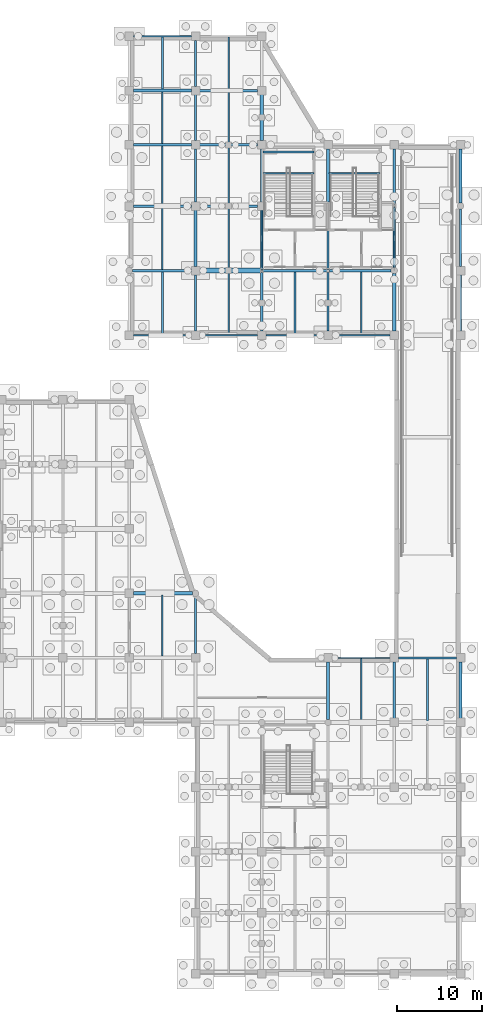
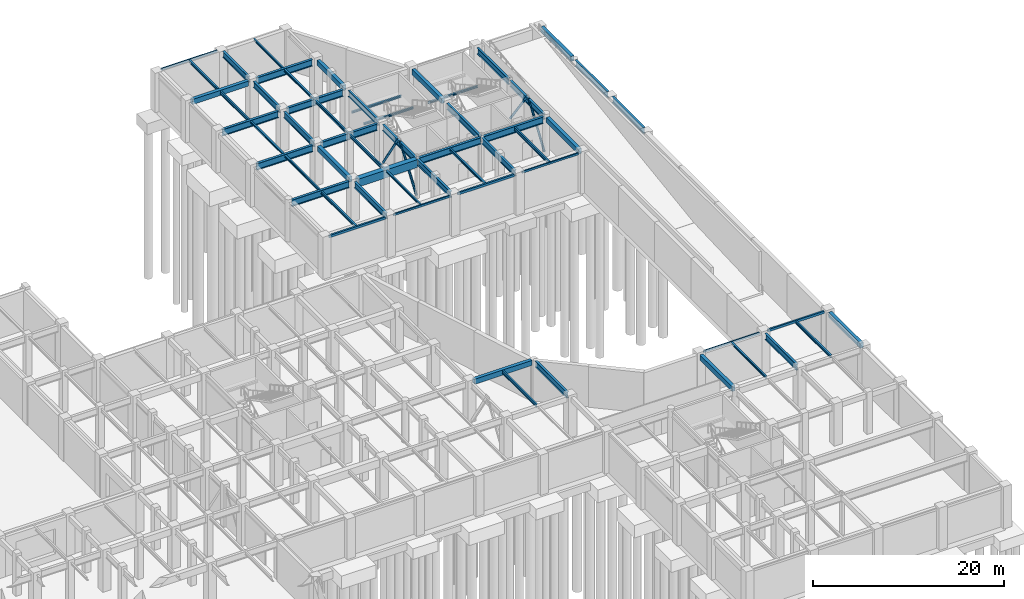
# One storey, part 29 of 52: 58 beams, 4 members.
"""IFC4 building model written with IfcOpenShell, lengths in metres."""

from ifc_helpers import new_model, si_unit, direction, frame, origin, origin_2d, place, context, subcontext, project, spatial, rectangle, hollow_rectangle, hollow_circle, i_section, extrude, material, material_profile, profile_set, type_object, element, save


model = new_model("IFC4")

# Units and contexts
model_context = context("Model", 3, precision=1e-05, world=origin(), true_north=direction((0.0, 1.0)))
body_context = subcontext(model_context, "Body", "Model", "MODEL_VIEW")
ifc_project = project(units=[si_unit("LENGTHUNIT", "METRE"), si_unit("AREAUNIT", "SQUARE_METRE"), si_unit("VOLUMEUNIT", "CUBIC_METRE"), si_unit("PLANEANGLEUNIT", "RADIAN"), si_unit("MASSUNIT", "GRAM", prefix="KILO")], contexts=[model_context])

# Site, building, storey
site_placement = place(None, origin())
site = spatial("IfcSite", under=ifc_project, at=site_placement, CompositionType="ELEMENT")
building_placement = place(site_placement, origin())
building = spatial("IfcBuilding", under=site, at=building_placement, Name="Xicomal Pleat Aquarium", CompositionType="ELEMENT")
storey_placement = place(building_placement, frame((0.0, 0.0, -5.39990234375)))
storey = spatial("IfcBuildingStorey", under=building, at=storey_placement, Name="B1", CompositionType="ELEMENT", Elevation=-5.39990234375)

# Beams
ifc_material_1 = material(Name="Concrete C40/50", Category="concrete")
ifc_material_profile_1 = material_profile(ifc_material_1, rectangle(XDim=0.39990234375, YDim=0.64990234375, at=origin_2d()), Name="RC 400x650")
ifc_profile_set_1 = profile_set([ifc_material_profile_1], Name="Concrete C40/50")
beam_type_1 = type_object("IfcBeamType", Name="BM-RC-400x650", PredefinedType="LINTEL", material=ifc_profile_set_1)
beam_1_placement = place(storey_placement, frame((126.4951171875, 45.60009765625, 4.81494140625), z_axis=(1.0, 0.0, 0.0), x_axis=(0.0, 1.0, 0.0)))
element("IfcBeam", 1, at=beam_1_placement, inside=storey, type_object=beam_type_1, Name="B1 framing beam FGX-B1-16-17-G", PredefinedType="LINTEL", context=body_context, shape_type="SweptSolid", body=[
    extrude(rectangle(XDim=0.39990234375, YDim=0.64990234375, at=origin_2d()), origin(), (0.0, 0.0, 1.0), 6.934814453125),
])
beam_2_placement = place(storey_placement, frame((126.4951171875, 104.800048828125, 4.724853515625), z_axis=(1.0, 0.0, 0.0), x_axis=(0.0, 1.0, 0.0)))
element("IfcBeam", 2, at=beam_2_placement, inside=storey, type_object=beam_type_1, Name="B1 framing beam FGX-B1-16-17-Q", PredefinedType="LINTEL", context=body_context, shape_type="SweptSolid", body=[
    extrude(rectangle(XDim=0.39990234375, YDim=0.64990234375, at=origin_2d()), origin(), (0.0, 0.0, 1.0), 6.809814453125),
])
beam_3_placement = place(storey_placement, frame((133.800048828125, 84.094970703125, 4.724853515625), z_axis=(0.0, 1.0, 0.0), x_axis=(-1.0, 0.0, 0.0)))
element("IfcBeam", 3, at=beam_3_placement, inside=storey, type_object=beam_type_1, Name="B1 framing beam FGY-B1-17-M-N", PredefinedType="LINTEL", context=body_context, shape_type="SweptSolid", body=[
    extrude(rectangle(XDim=0.39990234375, YDim=0.64990234375, at=origin_2d()), origin(), (0.0, 0.0, 1.0), 6.610107421875),
])
beam_4_placement = place(storey_placement, frame((141.60009765625, 98.89501953125, 4.724853515625), z_axis=(0.0, 1.0, 0.0), x_axis=(-1.0, 0.0, 0.0)))
element("IfcBeam", 4, at=beam_4_placement, inside=storey, type_object=beam_type_1, Name="B1 framing beam FGY-B1-18-P-Q", PredefinedType="LINTEL", context=body_context, shape_type="SweptSolid", body=[
    extrude(rectangle(XDim=0.39990234375, YDim=0.64990234375, at=origin_2d()), origin(), (0.0, 0.0, 1.0), 5.409912109375),
])
beam_5_placement = place(storey_placement, frame((149.39990234375, 30.77001953125, 4.794921875), z_axis=(0.0, 1.0, 0.0), x_axis=(-1.0, 0.0, 0.0)))
element("IfcBeam", 5, at=beam_5_placement, inside=storey, type_object=beam_type_1, Name="B1 framing beam FGY-B1-19-E-F", PredefinedType="LINTEL", context=body_context, shape_type="SweptSolid", body=[
    extrude(rectangle(XDim=0.39990234375, YDim=0.64990234375, at=origin_2d()), origin(), (0.0, 0.0, 1.0), 6.73486328125),
])
beam_6_placement = place(storey_placement, frame((149.39990234375, 91.695068359375, 4.724853515625), z_axis=(0.0, 1.0, 0.0), x_axis=(-1.0, 0.0, 0.0)))
element("IfcBeam", 6, at=beam_6_placement, inside=storey, type_object=beam_type_1, Name="B1 framing beam FGY-B1-19-N-P", PredefinedType="LINTEL", context=body_context, shape_type="SweptSolid", body=[
    extrude(rectangle(XDim=0.39990234375, YDim=0.64990234375, at=origin_2d()), origin(), (0.0, 0.0, 1.0), 6.2099609375),
])
beam_7_placement = place(storey_placement, frame((157.199951171875, 76.4951171875, 4.724853515625), z_axis=(0.0, 1.0, 0.0), x_axis=(-1.0, 0.0, 0.0)))
element("IfcBeam", 7, at=beam_7_placement, inside=storey, type_object=beam_type_1, Name="B1 framing beam FGY-B1-20-L-M", PredefinedType="LINTEL", context=body_context, shape_type="SweptSolid", body=[
    extrude(rectangle(XDim=0.39990234375, YDim=0.64990234375, at=origin_2d()), origin(), (0.0, 0.0, 1.0), 6.73486328125),
])
beam_8_placement = place(storey_placement, frame((165.0, 30.89501953125, 4.794921875), z_axis=(0.0, 1.0, 0.0), x_axis=(-1.0, 0.0, 0.0)))
element("IfcBeam", 8, at=beam_8_placement, inside=storey, type_object=beam_type_1, Name="B1 framing beam FGY-B1-21-E-F", PredefinedType="LINTEL", context=body_context, shape_type="SweptSolid", body=[
    extrude(rectangle(XDim=0.39990234375, YDim=0.64990234375, at=origin_2d()), origin(), (0.0, 0.0, 1.0), 6.60986328125),
])
beam_9_placement = place(storey_placement, frame((165.0, 91.570068359375, 4.724853515625), z_axis=(0.0, 1.0, 0.0), x_axis=(-1.0, 0.0, 0.0)))
element("IfcBeam", 9, at=beam_9_placement, inside=storey, type_object=beam_type_1, Name="B1 framing beam FGY-B1-21-N-P", PredefinedType="LINTEL", context=body_context, shape_type="SweptSolid", body=[
    extrude(rectangle(XDim=0.39990234375, YDim=0.64990234375, at=origin_2d()), origin(), (0.0, 0.0, 1.0), 6.3349609375),
])
ifc_material_2 = material(Name="Concrete C40/50", Category="concrete")
ifc_material_profile_2 = material_profile(ifc_material_2, rectangle(XDim=0.60009765625, YDim=1.0, at=origin_2d()), Name="RC 600x1000")
ifc_profile_set_2 = profile_set([ifc_material_profile_2], Name="Concrete C40/50")
beam_type_2 = type_object("IfcBeamType", Name="BM-RC-600x1000", PredefinedType="T_BEAM", material=ifc_profile_set_2)
beam_10_placement = place(storey_placement, frame((134.294921875, 83.60009765625, 4.5498046875), z_axis=(1.0, 0.0, 0.0), x_axis=(0.0, 1.0, 0.0)))
element("IfcBeam", 10, at=beam_10_placement, inside=storey, type_object=beam_type_2, Name="B1 framing beam FGX-B1-17-18-M", PredefinedType="T_BEAM", context=body_context, shape_type="SweptSolid", body=[
    extrude(rectangle(XDim=0.60009765625, YDim=1.0, at=origin_2d()), origin(), (0.0, 0.0, 1.0), 7.16015625),
])
ifc_material_3 = material(Name="Structural steel A992 Gr 50", Category="steel")
ifc_material_profile_3 = material_profile(ifc_material_3, i_section(OverallWidth=0.201904296875, OverallDepth=0.2470703125, WebThickness=0.00732421875, FlangeThickness=0.010986328125, at=origin_2d()), Name="IR 250x49")
ifc_profile_set_3 = profile_set([ifc_material_profile_3], Name="Structural steel A992 Gr 50")
beam_type_3 = type_object("IfcBeamType", Name="BM-STL-IR250", PredefinedType="JOIST", material=ifc_profile_set_3)
beam_11_placement = place(storey_placement, frame((129.89990234375, 91.35009765625, 4.926513671875), z_axis=(0.0, 1.0, 0.0), x_axis=(-1.0, 0.0, 0.0)))
element("IfcBeam", 11, at=beam_11_placement, inside=storey, type_object=beam_type_3, Name="B1 framing beam FBJ-B1-16-N-1", PredefinedType="JOIST", context=body_context, shape_type="SweptSolid", body=[
    extrude(i_section(OverallWidth=0.201904296875, OverallDepth=0.2470703125, WebThickness=0.00732421875, FlangeThickness=0.010986328125, at=origin_2d()), origin(), (0.0, 0.0, 1.0), 6.89990234375),
])
beam_12_placement = place(storey_placement, frame((137.699951171875, 76.077880859375, 4.926513671875), z_axis=(0.0, 1.0, 0.0), x_axis=(-1.0, 0.0, 0.0)))
element("IfcBeam", 12, at=beam_12_placement, inside=storey, type_object=beam_type_3, Name="B1 framing beam FBJ-B1-17-L-1", PredefinedType="JOIST", context=body_context, shape_type="SweptSolid", body=[
    extrude(i_section(OverallWidth=0.201904296875, OverallDepth=0.2470703125, WebThickness=0.00732421875, FlangeThickness=0.010986328125, at=origin_2d()), origin(), (0.0, 0.0, 1.0), 7.21923828125),
])
beam_13_placement = place(storey_placement, frame((137.699951171875, 104.949951171875, 4.926513671875), z_axis=(0.0, 1.0, 0.0), x_axis=(-1.0, 0.0, 0.0)))
element("IfcBeam", 13, at=beam_13_placement, inside=storey, type_object=beam_type_3, Name="B1 framing beam FBJ-B1-17-Q-1", PredefinedType="JOIST", context=body_context, shape_type="SweptSolid", body=[
    extrude(i_section(OverallWidth=0.201904296875, OverallDepth=0.2470703125, WebThickness=0.00732421875, FlangeThickness=0.010986328125, at=origin_2d()), origin(), (0.0, 0.0, 1.0), 6.14697265625),
])
for number, where, z_axis, x_axis, name in (
    (14, (141.719970703125, 97.550048828125, 2.37890625), (1.0, 0.0, 0.0), (0.0, 1.0, 0.0), "ST-05-B1 half-landing bearer beam 1"),
    (15, (141.719970703125, 95.070068359375, 2.37890625), (1.0, 0.0, 0.0), (0.0, 1.0, 0.0), "ST-05-B1 half-landing bearer beam 2"),
    (16, (149.52001953125, 95.070068359375, 2.37890625), (1.0, 0.0, 0.0), (0.0, 1.0, 0.0), "ST-06-B1 half-landing bearer beam 2"),
):
    element("IfcBeam", number, at=place(storey_placement, frame(where, z_axis=z_axis, x_axis=x_axis)), inside=storey, type_object=beam_type_3, Name=name, PredefinedType="JOIST", context=body_context, shape_type="SweptSolid", body=[
        extrude(i_section(OverallWidth=0.201904296875, OverallDepth=0.2470703125, WebThickness=0.00732421875, FlangeThickness=0.010986328125, at=origin_2d()), origin(), (0.0, 0.0, 1.0), 6.02001953125),
    ])
ifc_material_4 = material(Name="Structural steel A992 Gr 50", Category="steel")
ifc_material_profile_4 = material_profile(ifc_material_4, i_section(OverallWidth=0.202880859375, OverallDepth=0.302978515625, WebThickness=0.007568359375, FlangeThickness=0.01318359375, at=origin_2d()), Name="IR 310x60")
ifc_profile_set_4 = profile_set([ifc_material_profile_4], Name="Structural steel A992 Gr 50")
beam_type_4 = type_object("IfcBeamType", Name="BM-STL-IR310", PredefinedType="JOIST", material=ifc_profile_set_4)
beam_14_placement = place(storey_placement, frame((129.89990234375, 83.75, 4.8984375), z_axis=(0.0, 1.0, 0.0), x_axis=(-1.0, 0.0, 0.0)))
element("IfcBeam", 17, at=beam_14_placement, inside=storey, type_object=beam_type_4, Name="B1 framing beam FBJ-B1-16-M-1", PredefinedType="JOIST", context=body_context, shape_type="SweptSolid", body=[
    extrude(i_section(OverallWidth=0.202880859375, OverallDepth=0.302978515625, WebThickness=0.007568359375, FlangeThickness=0.01318359375, at=origin_2d()), origin(), (0.0, 0.0, 1.0), 7.300048828125),
])
beam_15_placement = place(storey_placement, frame((137.699951171875, 98.550048828125, 4.8984375), z_axis=(0.0, 1.0, 0.0), x_axis=(-1.0, 0.0, 0.0)))
element("IfcBeam", 18, at=beam_15_placement, inside=storey, type_object=beam_type_4, Name="B1 framing beam FBJ-B1-17-P-1", PredefinedType="JOIST", context=body_context, shape_type="SweptSolid", body=[
    extrude(i_section(OverallWidth=0.202880859375, OverallDepth=0.302978515625, WebThickness=0.007568359375, FlangeThickness=0.01318359375, at=origin_2d()), origin(), (0.0, 0.0, 1.0), 6.099853515625),
])
beam_16_placement = place(storey_placement, frame((145.5, 76.10302734375, 4.8984375), z_axis=(0.0, 1.0, 0.0), x_axis=(-1.0, 0.0, 0.0)))
element("IfcBeam", 19, at=beam_16_placement, inside=storey, type_object=beam_type_4, Name="B1 framing beam FBJ-B1-18-L-1", PredefinedType="JOIST", context=body_context, shape_type="SweptSolid", body=[
    extrude(i_section(OverallWidth=0.202880859375, OverallDepth=0.302978515625, WebThickness=0.007568359375, FlangeThickness=0.01318359375, at=origin_2d()), origin(), (0.0, 0.0, 1.0), 7.346923828125),
])
beam_17_placement = place(storey_placement, frame((153.300048828125, 30.6279296875, 4.968505859375), z_axis=(0.0, 1.0, 0.0), x_axis=(-1.0, 0.0, 0.0)))
element("IfcBeam", 20, at=beam_17_placement, inside=storey, type_object=beam_type_4, Name="B1 framing beam FBJ-B1-19-E-1", PredefinedType="JOIST", context=body_context, shape_type="SweptSolid", body=[
    extrude(i_section(OverallWidth=0.202880859375, OverallDepth=0.302978515625, WebThickness=0.007568359375, FlangeThickness=0.01318359375, at=origin_2d()), origin(), (0.0, 0.0, 1.0), 7.294189453125),
])
ifc_material_5 = material(Name="Structural steel A992 Gr 50", Category="steel")
ifc_material_profile_5 = material_profile(ifc_material_5, i_section(OverallWidth=0.205078125, OverallDepth=0.35400390625, WebThickness=0.009521484375, FlangeThickness=0.016845703125, at=origin_2d()), Name="IR 360x79")
ifc_profile_set_5 = profile_set([ifc_material_profile_5], Name="Structural steel A992 Gr 50")
beam_type_5 = type_object("IfcBeamType", Name="BM-STL-IR360", PredefinedType="JOIST", material=ifc_profile_set_5)
beam_18_placement = place(storey_placement, frame((129.89990234375, 76.10302734375, 4.872802734375), z_axis=(0.0, 1.0, 0.0), x_axis=(-1.0, 0.0, 0.0)))
element("IfcBeam", 21, at=beam_18_placement, inside=storey, type_object=beam_type_5, Name="B1 framing beam FBJ-B1-16-L-1", PredefinedType="JOIST", context=body_context, shape_type="SweptSolid", body=[
    extrude(i_section(OverallWidth=0.205078125, OverallDepth=0.35400390625, WebThickness=0.009521484375, FlangeThickness=0.016845703125, at=origin_2d()), origin(), (0.0, 0.0, 1.0), 7.346923828125),
])
beam_19_placement = place(storey_placement, frame((129.89990234375, 105.0029296875, 4.872802734375), z_axis=(0.0, 1.0, 0.0), x_axis=(-1.0, 0.0, 0.0)))
element("IfcBeam", 22, at=beam_19_placement, inside=storey, type_object=beam_type_5, Name="B1 framing beam FBJ-B1-16-Q-1", PredefinedType="JOIST", context=body_context, shape_type="SweptSolid", body=[
    extrude(i_section(OverallWidth=0.205078125, OverallDepth=0.35400390625, WebThickness=0.009521484375, FlangeThickness=0.016845703125, at=origin_2d()), origin(), (0.0, 0.0, 1.0), 6.119140625),
])
beam_20_placement = place(storey_placement, frame((137.699951171875, 91.35009765625, 4.872802734375), z_axis=(0.0, 1.0, 0.0), x_axis=(-1.0, 0.0, 0.0)))
element("IfcBeam", 23, at=beam_20_placement, inside=storey, type_object=beam_type_5, Name="B1 framing beam FBJ-B1-17-N-1", PredefinedType="JOIST", context=body_context, shape_type="SweptSolid", body=[
    extrude(i_section(OverallWidth=0.205078125, OverallDepth=0.35400390625, WebThickness=0.009521484375, FlangeThickness=0.016845703125, at=origin_2d()), origin(), (0.0, 0.0, 1.0), 6.89990234375),
])
beam_21_placement = place(storey_placement, frame((161.10009765625, 30.550048828125, 4.94287109375), z_axis=(0.0, 1.0, 0.0), x_axis=(-1.0, 0.0, 0.0)))
element("IfcBeam", 24, at=beam_21_placement, inside=storey, type_object=beam_type_5, Name="B1 framing beam FBJ-B1-20-E-1", PredefinedType="JOIST", context=body_context, shape_type="SweptSolid", body=[
    extrude(i_section(OverallWidth=0.205078125, OverallDepth=0.35400390625, WebThickness=0.009521484375, FlangeThickness=0.016845703125, at=origin_2d()), origin(), (0.0, 0.0, 1.0), 7.346923828125),
])
ifc_material_6 = material(Name="Structural steel A992 Gr 50", Category="steel")
ifc_material_profile_6 = material_profile(ifc_material_6, i_section(OverallWidth=0.180908203125, OverallDepth=0.4169921875, WebThickness=0.010986328125, FlangeThickness=0.018310546875, at=origin_2d()), Name="IR 410x85")
ifc_profile_set_6 = profile_set([ifc_material_profile_6], Name="Structural steel A992 Gr 50")
beam_type_6 = type_object("IfcBeamType", Name="BM-STL-IR410", PredefinedType="JOIST", material=ifc_profile_set_6)
beam_22_placement = place(storey_placement, frame((129.89990234375, 38.202880859375, 4.931396484375), z_axis=(0.0, 1.0, 0.0), x_axis=(-1.0, 0.0, 0.0)))
element("IfcBeam", 25, at=beam_22_placement, inside=storey, type_object=beam_type_6, Name="B1 framing beam FBJ-B1-16-F-1", PredefinedType="JOIST", context=body_context, shape_type="SweptSolid", body=[
    extrude(i_section(OverallWidth=0.180908203125, OverallDepth=0.4169921875, WebThickness=0.010986328125, FlangeThickness=0.018310546875, at=origin_2d()), origin(), (0.0, 0.0, 1.0), 7.194091796875),
])
beam_23_placement = place(storey_placement, frame((129.89990234375, 98.550048828125, 4.84130859375), z_axis=(0.0, 1.0, 0.0), x_axis=(-1.0, 0.0, 0.0)))
element("IfcBeam", 26, at=beam_23_placement, inside=storey, type_object=beam_type_6, Name="B1 framing beam FBJ-B1-16-P-1", PredefinedType="JOIST", context=body_context, shape_type="SweptSolid", body=[
    extrude(i_section(OverallWidth=0.180908203125, OverallDepth=0.4169921875, WebThickness=0.010986328125, FlangeThickness=0.018310546875, at=origin_2d()), origin(), (0.0, 0.0, 1.0), 6.046875),
])
beam_24_placement = place(storey_placement, frame((137.699951171875, 83.903076171875, 4.84130859375), z_axis=(0.0, 1.0, 0.0), x_axis=(-1.0, 0.0, 0.0)))
element("IfcBeam", 27, at=beam_24_placement, inside=storey, type_object=beam_type_6, Name="B1 framing beam FBJ-B1-17-M-1", PredefinedType="JOIST", context=body_context, shape_type="SweptSolid", body=[
    extrude(i_section(OverallWidth=0.180908203125, OverallDepth=0.4169921875, WebThickness=0.010986328125, FlangeThickness=0.018310546875, at=origin_2d()), origin(), (0.0, 0.0, 1.0), 7.14697265625),
])
beam_25_placement = place(storey_placement, frame((153.300048828125, 76.077880859375, 4.84130859375), z_axis=(0.0, 1.0, 0.0), x_axis=(-1.0, 0.0, 0.0)))
element("IfcBeam", 28, at=beam_25_placement, inside=storey, type_object=beam_type_6, Name="B1 framing beam FBJ-B1-19-L-1", PredefinedType="JOIST", context=body_context, shape_type="SweptSolid", body=[
    extrude(i_section(OverallWidth=0.180908203125, OverallDepth=0.4169921875, WebThickness=0.010986328125, FlangeThickness=0.018310546875, at=origin_2d()), origin(), (0.0, 0.0, 1.0), 7.3720703125),
])
ifc_material_7 = material(Name="Structural steel A992 Gr 50", Category="steel")
ifc_material_profile_7 = material_profile(ifc_material_7, i_section(OverallWidth=0.26806640625, OverallDepth=0.77001953125, WebThickness=0.015625, FlangeThickness=0.025390625, at=origin_2d()), Name="IR 760x196")
ifc_profile_set_7 = profile_set([ifc_material_profile_7], Name="Structural steel A992 Gr 50")
beam_type_7 = type_object("IfcBeamType", Name="BM-STL-IR760", PredefinedType="BEAM", material=ifc_profile_set_7)
beam_26_placement = place(storey_placement, frame((133.800048828125, 38.4951171875, 4.7548828125), z_axis=(0.0, 1.0, 0.0), x_axis=(-1.0, 0.0, 0.0)))
element("IfcBeam", 29, at=beam_26_placement, inside=storey, type_object=beam_type_7, Name="B1 framing beam FGY-B1-17-F-G", PredefinedType="BEAM", context=body_context, shape_type="SweptSolid", body=[
    extrude(i_section(OverallWidth=0.26806640625, OverallDepth=0.77001953125, WebThickness=0.015625, FlangeThickness=0.025390625, at=origin_2d()), origin(), (0.0, 0.0, 1.0), 6.73486328125),
])
beam_27_placement = place(storey_placement, frame((133.800048828125, 76.4951171875, 4.664794921875), z_axis=(0.0, 1.0, 0.0), x_axis=(-1.0, 0.0, 0.0)))
element("IfcBeam", 30, at=beam_27_placement, inside=storey, type_object=beam_type_7, Name="B1 framing beam FGY-B1-17-L-M", PredefinedType="BEAM", context=body_context, shape_type="SweptSolid", body=[
    extrude(i_section(OverallWidth=0.26806640625, OverallDepth=0.77001953125, WebThickness=0.015625, FlangeThickness=0.025390625, at=origin_2d()), origin(), (0.0, 0.0, 1.0), 6.60986328125),
])
beam_28_placement = place(storey_placement, frame((133.800048828125, 91.695068359375, 4.664794921875), z_axis=(0.0, 1.0, 0.0), x_axis=(-1.0, 0.0, 0.0)))
element("IfcBeam", 31, at=beam_28_placement, inside=storey, type_object=beam_type_7, Name="B1 framing beam FGY-B1-17-N-P", PredefinedType="BEAM", context=body_context, shape_type="SweptSolid", body=[
    extrude(i_section(OverallWidth=0.26806640625, OverallDepth=0.77001953125, WebThickness=0.015625, FlangeThickness=0.025390625, at=origin_2d()), origin(), (0.0, 0.0, 1.0), 6.2099609375),
])
beam_29_placement = place(storey_placement, frame((133.800048828125, 98.89501953125, 4.664794921875), z_axis=(0.0, 1.0, 0.0), x_axis=(-1.0, 0.0, 0.0)))
element("IfcBeam", 32, at=beam_29_placement, inside=storey, type_object=beam_type_7, Name="B1 framing beam FGY-B1-17-P-Q", PredefinedType="BEAM", context=body_context, shape_type="SweptSolid", body=[
    extrude(i_section(OverallWidth=0.26806640625, OverallDepth=0.77001953125, WebThickness=0.015625, FlangeThickness=0.025390625, at=origin_2d()), origin(), (0.0, 0.0, 1.0), 5.409912109375),
])
beam_30_placement = place(storey_placement, frame((133.800048828125, 105.294921875, 4.664794921875), z_axis=(0.0, 1.0, 0.0), x_axis=(-1.0, 0.0, 0.0)))
element("IfcBeam", 33, at=beam_30_placement, inside=storey, type_object=beam_type_7, Name="B1 framing beam FGY-B1-17-Q-R", PredefinedType="BEAM", context=body_context, shape_type="SweptSolid", body=[
    extrude(i_section(OverallWidth=0.26806640625, OverallDepth=0.77001953125, WebThickness=0.015625, FlangeThickness=0.025390625, at=origin_2d()), origin(), (0.0, 0.0, 1.0), 5.41015625),
])
for number, where, z_axis, x_axis, name in (
    (34, (141.60009765625, 76.4951171875, 4.664794921875), (0.0, 1.0, 0.0), (-1.0, 0.0, 0.0), "B1 framing beam FGY-B1-18-L-M"),
    (35, (141.60009765625, 83.7451171875, 4.664794921875), (0.0, 1.0, 0.0), (-1.0, 0.0, 0.0), "B1 framing beam FGY-B1-18-M-N"),
):
    element("IfcBeam", number, at=place(storey_placement, frame(where, z_axis=z_axis, x_axis=x_axis)), inside=storey, type_object=beam_type_7, Name=name, PredefinedType="BEAM", context=body_context, shape_type="SweptSolid", body=[
        extrude(i_section(OverallWidth=0.26806640625, OverallDepth=0.77001953125, WebThickness=0.015625, FlangeThickness=0.025390625, at=origin_2d()), origin(), (0.0, 0.0, 1.0), 6.9599609375),
    ])
beam_31_placement = place(storey_placement, frame((141.60009765625, 91.695068359375, 4.664794921875), z_axis=(0.0, 1.0, 0.0), x_axis=(-1.0, 0.0, 0.0)))
element("IfcBeam", 36, at=beam_31_placement, inside=storey, type_object=beam_type_7, Name="B1 framing beam FGY-B1-18-N-P", PredefinedType="BEAM", context=body_context, shape_type="SweptSolid", body=[
    extrude(i_section(OverallWidth=0.26806640625, OverallDepth=0.77001953125, WebThickness=0.015625, FlangeThickness=0.025390625, at=origin_2d()), origin(), (0.0, 0.0, 1.0), 6.2099609375),
])
for number, where, z_axis, x_axis, name in (
    (37, (149.39990234375, 76.4951171875, 4.664794921875), (0.0, 1.0, 0.0), (-1.0, 0.0, 0.0), "B1 framing beam FGY-B1-19-L-M"),
    (38, (149.39990234375, 83.7451171875, 4.664794921875), (0.0, 1.0, 0.0), (-1.0, 0.0, 0.0), "B1 framing beam FGY-B1-19-M-N"),
):
    element("IfcBeam", number, at=place(storey_placement, frame(where, z_axis=z_axis, x_axis=x_axis)), inside=storey, type_object=beam_type_7, Name=name, PredefinedType="BEAM", context=body_context, shape_type="SweptSolid", body=[
        extrude(i_section(OverallWidth=0.26806640625, OverallDepth=0.77001953125, WebThickness=0.015625, FlangeThickness=0.025390625, at=origin_2d()), origin(), (0.0, 0.0, 1.0), 6.9599609375),
    ])
beam_32_placement = place(storey_placement, frame((157.199951171875, 30.89501953125, 4.73486328125), z_axis=(0.0, 1.0, 0.0), x_axis=(-1.0, 0.0, 0.0)))
element("IfcBeam", 39, at=beam_32_placement, inside=storey, type_object=beam_type_7, Name="B1 framing beam FGY-B1-20-E-F", PredefinedType="BEAM", context=body_context, shape_type="SweptSolid", body=[
    extrude(i_section(OverallWidth=0.26806640625, OverallDepth=0.77001953125, WebThickness=0.015625, FlangeThickness=0.025390625, at=origin_2d()), origin(), (0.0, 0.0, 1.0), 6.60986328125),
])
beam_33_placement = place(storey_placement, frame((157.199951171875, 83.969970703125, 4.664794921875), z_axis=(0.0, 1.0, 0.0), x_axis=(-1.0, 0.0, 0.0)))
element("IfcBeam", 40, at=beam_33_placement, inside=storey, type_object=beam_type_7, Name="B1 framing beam FGY-B1-20-M-N", PredefinedType="BEAM", context=body_context, shape_type="SweptSolid", body=[
    extrude(i_section(OverallWidth=0.26806640625, OverallDepth=0.77001953125, WebThickness=0.015625, FlangeThickness=0.025390625, at=origin_2d()), origin(), (0.0, 0.0, 1.0), 7.0849609375),
])
beam_34_placement = place(storey_placement, frame((157.199951171875, 91.344970703125, 4.664794921875), z_axis=(0.0, 1.0, 0.0), x_axis=(-1.0, 0.0, 0.0)))
element("IfcBeam", 41, at=beam_34_placement, inside=storey, type_object=beam_type_7, Name="B1 framing beam FGY-B1-20-N-P", PredefinedType="BEAM", context=body_context, shape_type="SweptSolid", body=[
    extrude(i_section(OverallWidth=0.26806640625, OverallDepth=0.77001953125, WebThickness=0.015625, FlangeThickness=0.025390625, at=origin_2d()), origin(), (0.0, 0.0, 1.0), 6.56005859375),
])
beam_35_placement = place(storey_placement, frame((165.0, 76.4951171875, 4.664794921875), z_axis=(0.0, 1.0, 0.0), x_axis=(-1.0, 0.0, 0.0)))
element("IfcBeam", 42, at=beam_35_placement, inside=storey, type_object=beam_type_7, Name="B1 framing beam FGY-B1-21-L-M", PredefinedType="BEAM", context=body_context, shape_type="SweptSolid", body=[
    extrude(i_section(OverallWidth=0.26806640625, OverallDepth=0.77001953125, WebThickness=0.015625, FlangeThickness=0.025390625, at=origin_2d()), origin(), (0.0, 0.0, 1.0), 6.60986328125),
])
beam_36_placement = place(storey_placement, frame((165.0, 84.094970703125, 4.664794921875), z_axis=(0.0, 1.0, 0.0), x_axis=(-1.0, 0.0, 0.0)))
element("IfcBeam", 43, at=beam_36_placement, inside=storey, type_object=beam_type_7, Name="B1 framing beam FGY-B1-21-M-N", PredefinedType="BEAM", context=body_context, shape_type="SweptSolid", body=[
    extrude(i_section(OverallWidth=0.26806640625, OverallDepth=0.77001953125, WebThickness=0.015625, FlangeThickness=0.025390625, at=origin_2d()), origin(), (0.0, 0.0, 1.0), 6.735107421875),
])
ifc_material_8 = material(Name="Structural steel A992 Gr 50", Category="steel")
ifc_material_profile_8 = material_profile(ifc_material_8, i_section(OverallWidth=0.2939453125, OverallDepth=0.85107421875, WebThickness=0.01611328125, FlangeThickness=0.02685546875, at=origin_2d()), Name="IR 840x226")
ifc_profile_set_8 = profile_set([ifc_material_profile_8], Name="Structural steel A992 Gr 50")
beam_type_8 = type_object("IfcBeamType", Name="BM-STL-IR840", PredefinedType="BEAM", material=ifc_profile_set_8)
beam_37_placement = place(storey_placement, frame((126.3701171875, 83.60009765625, 4.62451171875), z_axis=(1.0, 0.0, 0.0), x_axis=(0.0, 1.0, 0.0)))
element("IfcBeam", 44, at=beam_37_placement, inside=storey, type_object=beam_type_8, Name="B1 framing beam FGX-B1-16-17-M", PredefinedType="BEAM", context=body_context, shape_type="SweptSolid", body=[
    extrude(i_section(OverallWidth=0.2939453125, OverallDepth=0.85107421875, WebThickness=0.01611328125, FlangeThickness=0.02685546875, at=origin_2d()), origin(), (0.0, 0.0, 1.0), 6.934814453125),
])
beam_38_placement = place(storey_placement, frame((141.7451171875, 83.60009765625, 4.62451171875), z_axis=(1.0, 0.0, 0.0), x_axis=(0.0, 1.0, 0.0)))
element("IfcBeam", 45, at=beam_38_placement, inside=storey, type_object=beam_type_8, Name="B1 framing beam FGX-B1-18-19-M", PredefinedType="BEAM", context=body_context, shape_type="SweptSolid", body=[
    extrude(i_section(OverallWidth=0.2939453125, OverallDepth=0.85107421875, WebThickness=0.01611328125, FlangeThickness=0.02685546875, at=origin_2d()), origin(), (0.0, 0.0, 1.0), 7.509765625),
])
beam_39_placement = place(storey_placement, frame((149.544921875, 83.60009765625, 4.62451171875), z_axis=(1.0, 0.0, 0.0), x_axis=(0.0, 1.0, 0.0)))
element("IfcBeam", 46, at=beam_39_placement, inside=storey, type_object=beam_type_8, Name="B1 framing beam FGX-B1-19-20-M", PredefinedType="BEAM", context=body_context, shape_type="SweptSolid", body=[
    extrude(i_section(OverallWidth=0.2939453125, OverallDepth=0.85107421875, WebThickness=0.01611328125, FlangeThickness=0.02685546875, at=origin_2d()), origin(), (0.0, 0.0, 1.0), 7.28515625),
])
beam_40_placement = place(storey_placement, frame((126.4951171875, 91.199951171875, 4.62451171875), z_axis=(1.0, 0.0, 0.0), x_axis=(0.0, 1.0, 0.0)))
element("IfcBeam", 47, at=beam_40_placement, inside=storey, type_object=beam_type_8, Name="B1 framing beam FGX-B1-16-17-N", PredefinedType="BEAM", context=body_context, shape_type="SweptSolid", body=[
    extrude(i_section(OverallWidth=0.2939453125, OverallDepth=0.85107421875, WebThickness=0.01611328125, FlangeThickness=0.02685546875, at=origin_2d()), origin(), (0.0, 0.0, 1.0), 6.809814453125),
])
beam_41_placement = place(storey_placement, frame((134.294921875, 91.199951171875, 4.62451171875), z_axis=(1.0, 0.0, 0.0), x_axis=(0.0, 1.0, 0.0)))
element("IfcBeam", 48, at=beam_41_placement, inside=storey, type_object=beam_type_8, Name="B1 framing beam FGX-B1-17-18-N", PredefinedType="BEAM", context=body_context, shape_type="SweptSolid", body=[
    extrude(i_section(OverallWidth=0.2939453125, OverallDepth=0.85107421875, WebThickness=0.01611328125, FlangeThickness=0.02685546875, at=origin_2d()), origin(), (0.0, 0.0, 1.0), 6.81005859375),
])
beam_42_placement = place(storey_placement, frame((126.4951171875, 98.39990234375, 4.62451171875), z_axis=(1.0, 0.0, 0.0), x_axis=(0.0, 1.0, 0.0)))
element("IfcBeam", 49, at=beam_42_placement, inside=storey, type_object=beam_type_8, Name="B1 framing beam FGX-B1-16-17-P", PredefinedType="BEAM", context=body_context, shape_type="SweptSolid", body=[
    extrude(i_section(OverallWidth=0.2939453125, OverallDepth=0.85107421875, WebThickness=0.01611328125, FlangeThickness=0.02685546875, at=origin_2d()), origin(), (0.0, 0.0, 1.0), 6.809814453125),
])
for number, where, z_axis, x_axis, name in (
    (50, (134.294921875, 98.39990234375, 4.62451171875), (1.0, 0.0, 0.0), (0.0, 1.0, 0.0), "B1 framing beam FGX-B1-17-18-P"),
    (51, (134.294921875, 104.800048828125, 4.62451171875), (1.0, 0.0, 0.0), (0.0, 1.0, 0.0), "B1 framing beam FGX-B1-17-18-Q"),
):
    element("IfcBeam", number, at=place(storey_placement, frame(where, z_axis=z_axis, x_axis=x_axis)), inside=storey, type_object=beam_type_8, Name=name, PredefinedType="BEAM", context=body_context, shape_type="SweptSolid", body=[
        extrude(i_section(OverallWidth=0.2939453125, OverallDepth=0.85107421875, WebThickness=0.01611328125, FlangeThickness=0.02685546875, at=origin_2d()), origin(), (0.0, 0.0, 1.0), 6.81005859375),
    ])
ifc_material_9 = material(Name="Structural steel A500 Gr C", Category="steel")
ifc_material_profile_9 = material_profile(ifc_material_9, hollow_rectangle(XDim=0.14990234375, YDim=0.25, WallThickness=0.010009765625, at=origin_2d()), Name="OR 250x150x10")
ifc_profile_set_9 = profile_set([ifc_material_profile_9], Name="Structural steel A500 Gr C")
beam_type_9 = type_object("IfcBeamType", Name="BM-STL-OR250", PredefinedType="SPANDREL", material=ifc_profile_set_9)
for number, where, z_axis, x_axis, name in (
    (52, (149.89501953125, 38.0, 4.994873046875), (1.0, 0.0, 0.0), (0.0, 1.0, 0.0), "B1 framing beam FGX-B1-19-20-F"),
    (53, (134.294921875, 76.0, 4.9248046875), (1.0, 0.0, 0.0), (0.0, 1.0, 0.0), "B1 framing beam FGX-B1-17-18-L"),
    (54, (149.89501953125, 76.0, 4.9248046875), (1.0, 0.0, 0.0), (0.0, 1.0, 0.0), "B1 framing beam FGX-B1-19-20-L"),
):
    element("IfcBeam", number, at=place(storey_placement, frame(where, z_axis=z_axis, x_axis=x_axis)), inside=storey, type_object=beam_type_9, Name=name, PredefinedType="SPANDREL", context=body_context, shape_type="SweptSolid", body=[
        extrude(hollow_rectangle(XDim=0.14990234375, YDim=0.25, WallThickness=0.010009765625, at=origin_2d()), origin(), (0.0, 0.0, 1.0), 6.81005859375),
    ])
beam_43_placement = place(storey_placement, frame((126.4951171875, 111.199951171875, 4.9248046875), z_axis=(1.0, 0.0, 0.0), x_axis=(0.0, 1.0, 0.0)))
element("IfcBeam", 55, at=beam_43_placement, inside=storey, type_object=beam_type_9, Name="B1 framing beam FGX-B1-16-17-R", PredefinedType="SPANDREL", context=body_context, shape_type="SweptSolid", body=[
    extrude(hollow_rectangle(XDim=0.14990234375, YDim=0.25, WallThickness=0.010009765625, at=origin_2d()), origin(), (0.0, 0.0, 1.0), 6.809814453125),
])
ifc_material_10 = material(Name="Structural steel A500 Gr C", Category="steel")
ifc_material_profile_10 = material_profile(ifc_material_10, hollow_rectangle(XDim=0.199951171875, YDim=0.300048828125, WallThickness=0.011962890625, at=origin_2d()), Name="OR 300x200x12")
ifc_profile_set_10 = profile_set([ifc_material_profile_10], Name="Structural steel A500 Gr C")
beam_type_10 = type_object("IfcBeamType", Name="BM-STL-OR300", PredefinedType="SPANDREL", material=ifc_profile_set_10)
for number, where, z_axis, x_axis, name in (
    (56, (157.695068359375, 38.0, 4.969970703125), (1.0, 0.0, 0.0), (0.0, 1.0, 0.0), "B1 framing beam FGX-B1-20-21-F"),
    (57, (126.4951171875, 76.0, 4.89990234375), (1.0, 0.0, 0.0), (0.0, 1.0, 0.0), "B1 framing beam FGX-B1-16-17-L"),
):
    element("IfcBeam", number, at=place(storey_placement, frame(where, z_axis=z_axis, x_axis=x_axis)), inside=storey, type_object=beam_type_10, Name=name, PredefinedType="SPANDREL", context=body_context, shape_type="SweptSolid", body=[
        extrude(hollow_rectangle(XDim=0.199951171875, YDim=0.300048828125, WallThickness=0.011962890625, at=origin_2d()), origin(), (0.0, 0.0, 1.0), 6.809814453125),
    ])
beam_44_placement = place(storey_placement, frame((142.094970703125, 76.0, 4.89990234375), z_axis=(1.0, 0.0, 0.0), x_axis=(0.0, 1.0, 0.0)))
element("IfcBeam", 58, at=beam_44_placement, inside=storey, type_object=beam_type_10, Name="B1 framing beam FGX-B1-18-19-L", PredefinedType="SPANDREL", context=body_context, shape_type="SweptSolid", body=[
    extrude(hollow_rectangle(XDim=0.199951171875, YDim=0.300048828125, WallThickness=0.011962890625, at=origin_2d()), origin(), (0.0, 0.0, 1.0), 6.81005859375),
])

# Members
ifc_material_11 = material(Name="Structural steel A500 Gr C", Category="steel")
ifc_material_profile_11 = material_profile(ifc_material_11, hollow_circle(Radius=0.136474609375, WallThickness=0.013916015625, at=origin_2d()), Name="OC 273x14")
ifc_profile_set_11 = profile_set([ifc_material_profile_11], Name="Structural steel A500 Gr C")
member_type = type_object("IfcMemberType", Name="MEM-BR-OC273", PredefinedType="BRACE", material=ifc_profile_set_11)
member_1_placement = place(storey_placement, frame((157.199951171875, 83.955078125, 0.14990234375), z_axis=(0.0, 0.558016244301, 0.829830025424), x_axis=(-1.0, 0.0, 0.0)))
element("IfcMember", 59, at=member_1_placement, inside=storey, type_object=member_type, Name="B1 chevron brace 21A", PredefinedType="BRACE", context=body_context, shape_type="SweptSolid", body=[
    extrude(hollow_circle(Radius=0.136474609375, WallThickness=0.013916015625, at=origin_2d()), origin(), (0.0, 0.0, 1.0), 5.90478515625),
])
for number, where, z_axis, x_axis, name in (
    (60, (157.199951171875, 91.070068359375, 0.14990234375), (0.0, -0.583440918288, 0.812155585382), (1.0, 0.0, 0.0), "B1 chevron brace 21B"),
    (61, (141.60009765625, 83.72998046875, 0.14990234375), (0.0, 0.583440918288, 0.812155585382), (-1.0, 0.0, 0.0), "B1 chevron brace 26A"),
):
    element("IfcMember", number, at=place(storey_placement, frame(where, z_axis=z_axis, x_axis=x_axis)), inside=storey, type_object=member_type, Name=name, PredefinedType="BRACE", context=body_context, shape_type="SweptSolid", body=[
        extrude(hollow_circle(Radius=0.136474609375, WallThickness=0.013916015625, at=origin_2d()), origin(), (0.0, 0.0, 1.0), 6.033203125),
    ])
member_2_placement = place(storey_placement, frame((141.60009765625, 90.719970703125, 0.14990234375), z_axis=(0.0, -0.543178422958, 0.839617294267), x_axis=(1.0, 0.0, 0.0)))
element("IfcMember", 62, at=member_2_placement, inside=storey, type_object=member_type, Name="B1 chevron brace 26B", PredefinedType="BRACE", context=body_context, shape_type="SweptSolid", body=[
    extrude(hollow_circle(Radius=0.136474609375, WallThickness=0.013916015625, at=origin_2d()), origin(), (0.0, 0.0, 1.0), 5.8359375),
])

save(model, "model.ifc")
